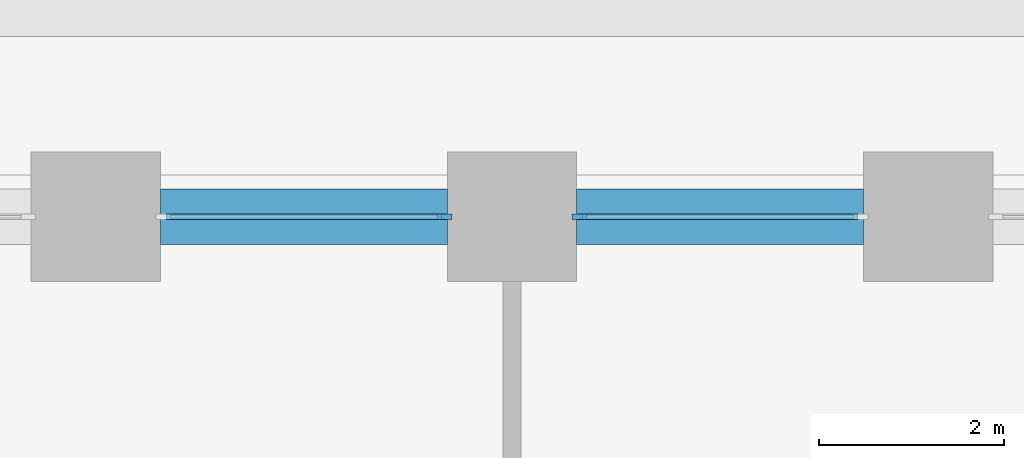
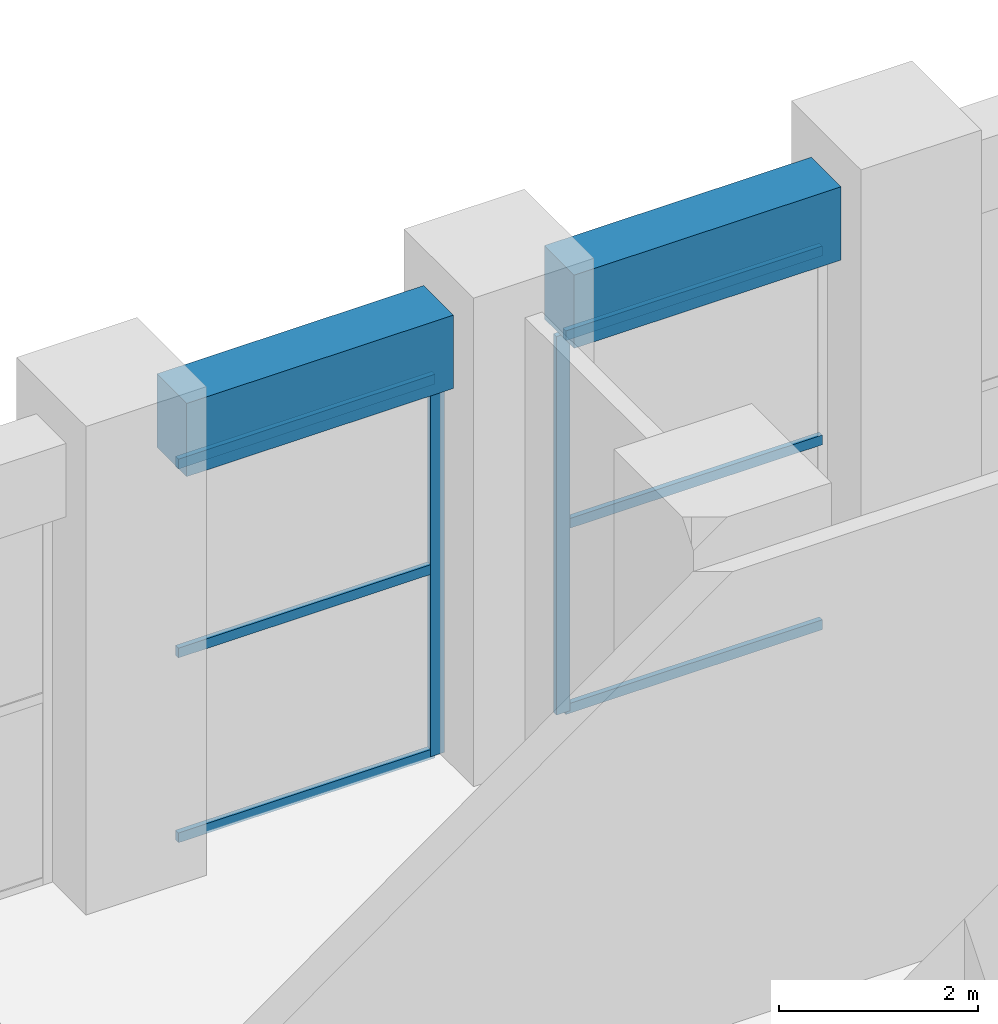
# One storey, part 7 of 21: 8 members, 2 beams, 2 elements without a shape of their own.
"""IFC4 building model written with IfcOpenShell, lengths in metres."""

from ifc_helpers import new_model, si_unit, direction, frame, origin, origin_2d, place, context, subcontext, project, spatial, rectangle, extrude, material, material_profile, profile_set, type_object, element, aggregate, save


model = new_model("IFC4")

# Units and contexts
model_context = context("Model", 3, precision=1e-05, world=origin(), true_north=direction((0.0, 1.0)))
body_context = subcontext(model_context, "Body", "Model", "MODEL_VIEW")
ifc_project = project(units=[si_unit("LENGTHUNIT", "METRE"), si_unit("AREAUNIT", "SQUARE_METRE"), si_unit("VOLUMEUNIT", "CUBIC_METRE"), si_unit("PLANEANGLEUNIT", "RADIAN"), si_unit("MASSUNIT", "GRAM", prefix="KILO")], contexts=[model_context])

# Site, building, storey
site_placement = place(None, origin())
site = spatial("IfcSite", under=ifc_project, at=site_placement, CompositionType="ELEMENT")
building_placement = place(site_placement, origin())
building = spatial("IfcBuilding", under=site, at=building_placement, Name="Corbel Stack Research Tower", CompositionType="ELEMENT")
storey_placement = place(building_placement, frame((0.0, 0.0, 35.89990234375)))
storey = spatial("IfcBuildingStorey", under=building, at=storey_placement, Name="L08", CompositionType="ELEMENT", Elevation=35.89990234375)

# Curtain wall, member
ifc_material_1 = material(Name="Aluminium frame, clear glass", Category="aluminium")
curtain_wall_type = type_object("IfcCurtainWallType", Name="Amenity floor curtain wall CW2", PredefinedType="NOTDEFINED", material=ifc_material_1)
curtain_wall_1_placement = place(storey_placement, origin())
curtain_wall_1 = element("IfcCurtainWall", 1, at=curtain_wall_1_placement, inside=storey, type_object=curtain_wall_type, Name="Curtain wall CW2 L08 N05", PredefinedType="NOTDEFINED")
ifc_material_2 = material(Name="Aluminium mullion", Category="aluminium")
ifc_material_profile_1 = material_profile(ifc_material_2, rectangle(XDim=0.06005859375, YDim=0.159912109375, at=origin_2d()), Name="Mullion 60 x 160")
ifc_profile_set_1 = profile_set([ifc_material_profile_1], Name="Aluminium mullion")
member_type_1 = type_object("IfcMemberType", Name="Curtain wall mullion 60 x 160", PredefinedType="MULLION", material=ifc_profile_set_1)
member_1_placement = place(storey_placement, frame((0.72998046875, 27.0, 0.0), z_axis=(0.0, 0.0, 1.0), x_axis=(0.0, -1.0, 0.0)))
member_1 = element("IfcMember", 2, at=member_1_placement, type_object=member_type_1, Name="CW2 L08 N05 mullion 2", PredefinedType="MULLION", context=body_context, shape_type="SweptSolid", body=[
    extrude(rectangle(XDim=0.06005859375, YDim=0.159912109375, at=origin_2d()), origin(), (0.0, 0.0, 1.0), 4.650146484375),
])

curtain_wall_2_placement = place(storey_placement, origin())
curtain_wall_2 = element("IfcCurtainWall", 3, at=curtain_wall_2_placement, inside=storey, type_object=curtain_wall_type, Name="Curtain wall CW2 L08 N06", PredefinedType="NOTDEFINED")
member_2_placement = place(storey_placement, frame((-0.72998046875, 27.0, 0.0), z_axis=(0.0, 0.0, 1.0), x_axis=(0.0, -1.0, 0.0)))
member_2 = element("IfcMember", 4, at=member_2_placement, type_object=member_type_1, Name="CW2 L08 N06 mullion 1", PredefinedType="MULLION", context=body_context, shape_type="SweptSolid", body=[
    extrude(rectangle(XDim=0.06005859375, YDim=0.159912109375, at=origin_2d()), origin(), (0.0, 0.0, 1.0), 4.650146484375),
])

# Member
ifc_material_3 = material(Name="Aluminium transom", Category="aluminium")
ifc_material_profile_2 = material_profile(ifc_material_3, rectangle(XDim=0.06005859375, YDim=0.1201171875, at=origin_2d()), Name="Transom 60 x 120")
ifc_profile_set_2 = profile_set([ifc_material_profile_2], Name="Aluminium transom")
member_type_2 = type_object("IfcMemberType", Name="Curtain wall transom 60 x 120", PredefinedType="USERDEFINED", material=ifc_profile_set_2)
member_3_placement = place(storey_placement, frame((3.739990234375, 27.0, 0.030029296875), z_axis=(-1.0, 0.0, 0.0), x_axis=(0.0, -1.0, 0.0)))
member_3 = element("IfcMember", 5, at=member_3_placement, type_object=member_type_2, Name="CW2 L08 N05 transom 1.1", ObjectType="TRANSOM", PredefinedType="USERDEFINED", context=body_context, shape_type="SweptSolid", body=[
    extrude(rectangle(XDim=0.06005859375, YDim=0.1201171875, at=origin_2d()), origin(), (0.0, 0.0, 1.0), 2.97998046875),
])

member_4_placement = place(storey_placement, frame((3.739990234375, 27.0, 2.300048828125), z_axis=(-1.0, 0.0, 0.0), x_axis=(0.0, -1.0, 0.0)))
member_4 = element("IfcMember", 6, at=member_4_placement, type_object=member_type_2, Name="CW2 L08 N05 transom 1.2", ObjectType="TRANSOM", PredefinedType="USERDEFINED", context=body_context, shape_type="SweptSolid", body=[
    extrude(rectangle(XDim=0.06005859375, YDim=0.1201171875, at=origin_2d()), origin(), (0.0, 0.0, 1.0), 2.97998046875),
])

member_5_placement = place(storey_placement, frame((3.739990234375, 27.0, 4.6201171875), z_axis=(-1.0, 0.0, 0.0), x_axis=(0.0, -1.0, 0.0)))
member_5 = element("IfcMember", 7, at=member_5_placement, type_object=member_type_2, Name="CW2 L08 N05 transom 1.3", ObjectType="TRANSOM", PredefinedType="USERDEFINED", context=body_context, shape_type="SweptSolid", body=[
    extrude(rectangle(XDim=0.06005859375, YDim=0.1201171875, at=origin_2d()), origin(), (0.0, 0.0, 1.0), 2.97998046875),
])

aggregate(curtain_wall_1, [member_1, member_3, member_4, member_5])

member_6_placement = place(storey_placement, frame((-0.760009765625, 27.0, 0.030029296875), z_axis=(-1.0, 0.0, 0.0), x_axis=(0.0, -1.0, 0.0)))
member_6 = element("IfcMember", 8, at=member_6_placement, type_object=member_type_2, Name="CW2 L08 N06 transom 1.1", ObjectType="TRANSOM", PredefinedType="USERDEFINED", context=body_context, shape_type="SweptSolid", body=[
    extrude(rectangle(XDim=0.06005859375, YDim=0.1201171875, at=origin_2d()), origin(), (0.0, 0.0, 1.0), 2.97998046875),
])

member_7_placement = place(storey_placement, frame((-0.760009765625, 27.0, 2.300048828125), z_axis=(-1.0, 0.0, 0.0), x_axis=(0.0, -1.0, 0.0)))
member_7 = element("IfcMember", 9, at=member_7_placement, type_object=member_type_2, Name="CW2 L08 N06 transom 1.2", ObjectType="TRANSOM", PredefinedType="USERDEFINED", context=body_context, shape_type="SweptSolid", body=[
    extrude(rectangle(XDim=0.06005859375, YDim=0.1201171875, at=origin_2d()), origin(), (0.0, 0.0, 1.0), 2.97998046875),
])

member_8_placement = place(storey_placement, frame((-0.760009765625, 27.0, 4.6201171875), z_axis=(-1.0, 0.0, 0.0), x_axis=(0.0, -1.0, 0.0)))
member_8 = element("IfcMember", 10, at=member_8_placement, type_object=member_type_2, Name="CW2 L08 N06 transom 1.3", ObjectType="TRANSOM", PredefinedType="USERDEFINED", context=body_context, shape_type="SweptSolid", body=[
    extrude(rectangle(XDim=0.06005859375, YDim=0.1201171875, at=origin_2d()), origin(), (0.0, 0.0, 1.0), 2.97998046875),
])

aggregate(curtain_wall_2, [member_2, member_6, member_7, member_8])

# Beams
ifc_material_4 = material(Name="Concrete C60/75", Category="concrete")
ifc_material_profile_3 = material_profile(ifc_material_4, rectangle(XDim=0.60009765625, YDim=0.89990234375, at=origin_2d()), Name="RC 600 x 900")
ifc_profile_set_3 = profile_set([ifc_material_profile_3], Name="Concrete C60/75")
beam_type = type_object("IfcBeamType", Name="SB-600-900-450", PredefinedType="SPANDREL", material=ifc_profile_set_3)
for number, where, z_axis, x_axis, name in (
    (11, (3.800048828125, 27.0, 5.10009765625), (-1.0, 0.0, 0.0), (0.0, -1.0, 0.0), "Spandrel beam L08-27"),
    (12, (-0.699951171875, 27.0, 5.10009765625), (-1.0, 0.0, 0.0), (0.0, -1.0, 0.0), "Spandrel beam L08-28"),
):
    element("IfcBeam", number, at=place(storey_placement, frame(where, z_axis=z_axis, x_axis=x_axis)), inside=storey, type_object=beam_type, Name=name, PredefinedType="SPANDREL", context=body_context, shape_type="SweptSolid", body=[
        extrude(rectangle(XDim=0.60009765625, YDim=0.89990234375, at=origin_2d()), origin(), (0.0, 0.0, 1.0), 3.10009765625),
    ])

save(model, "model.ifc")
